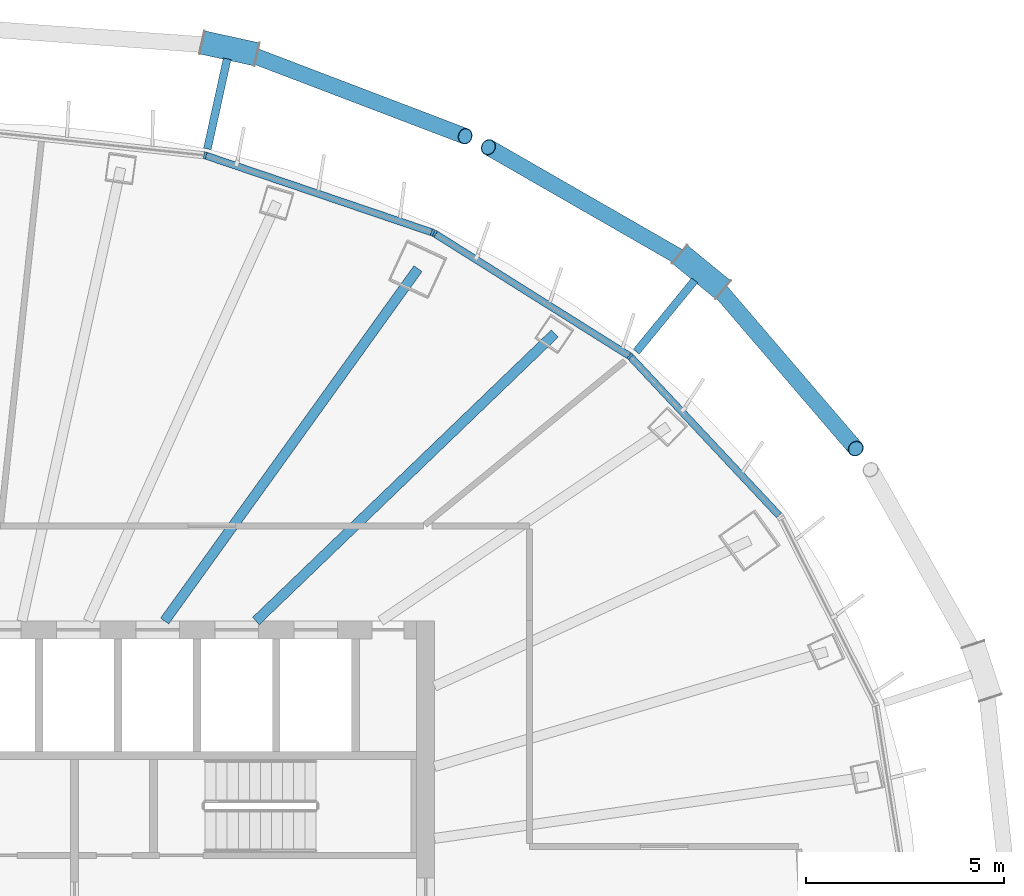
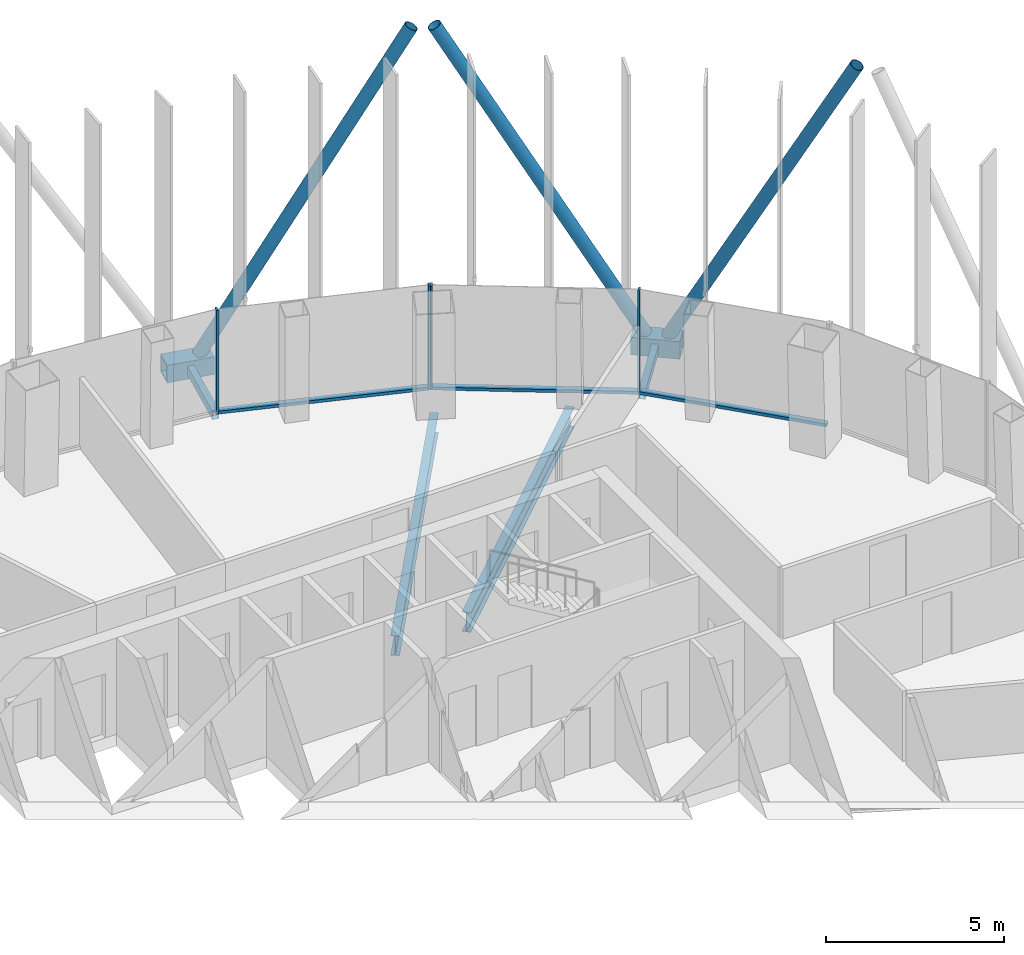
# One storey, part 7 of 18: 14 members, 2 beams, 2 elements without a shape of their own.
"""IFC4 building model written with IfcOpenShell, lengths in metres."""

from ifc_helpers import new_model, si_unit, direction, frame, origin, origin_2d, place, context, subcontext, project, spatial, rectangle, hollow_rectangle, hollow_circle, i_section, extrude, material, layer, layer_set, material_profile, profile_set, type_object, element, aggregate, save


model = new_model("IFC4")

# Units and contexts
model_context = context("Model", 3, precision=1e-05, world=origin(), true_north=direction((0.0, 1.0)))
body_context = subcontext(model_context, "Body", "Model", "MODEL_VIEW")
ifc_project = project(units=[si_unit("LENGTHUNIT", "METRE"), si_unit("AREAUNIT", "SQUARE_METRE"), si_unit("VOLUMEUNIT", "CUBIC_METRE"), si_unit("PLANEANGLEUNIT", "RADIAN"), si_unit("MASSUNIT", "GRAM", prefix="KILO")], contexts=[model_context])

# Site, building, storey
site_placement = place(None, origin())
site = spatial("IfcSite", under=ifc_project, at=site_placement, CompositionType="ELEMENT")
building_placement = place(site_placement, origin())
building = spatial("IfcBuilding", under=site, at=building_placement, Name="Siaravel Broadcast Tower", CompositionType="ELEMENT")
storey_placement = place(building_placement, frame((0.0, 0.0, 157.10009765625)))
storey = spatial("IfcBuildingStorey", under=building, at=storey_placement, Name="L37", CompositionType="ELEMENT", Elevation=157.10009765625)

# Beams
ifc_material_1 = material(Name="Steel S355", Category="steel")
ifc_material_profile_1 = material_profile(ifc_material_1, i_section(OverallWidth=0.2529296875, OverallDepth=0.677978515625, WebThickness=0.01171875, FlangeThickness=0.01611328125, FilletRadius=0.01513671875, at=origin_2d()))
ifc_profile_set_1 = profile_set([ifc_material_profile_1], Name="Steel S355")
beam_type = type_object("IfcBeamType", Name="BM-UB 686x254x125", PredefinedType="BEAM", material=ifc_profile_set_1)
beam_1_placement = place(storey_placement, frame((15.041259765625, 14.466064453125, -0.489013671875), z_axis=(-0.720749365, -0.693195754, 0.0), x_axis=(0.693195754, -0.720749365, 0.0)))
element("IfcBeam", 1, at=beam_1_placement, inside=storey, type_object=beam_type, Name="Radial beam RB06", PredefinedType="BEAM", context=body_context, shape_type="SweptSolid", body=[
    extrude(i_section(OverallWidth=0.2529296875, OverallDepth=0.677978515625, WebThickness=0.01171875, FlangeThickness=0.01611328125, FilletRadius=0.01513671875, at=origin_2d()), origin(), (0.0, 0.0, 1.0), 10.48193359375),
])
beam_2_placement = place(storey_placement, frame((11.582275390625, 16.10498046875, -0.489013671875), z_axis=(-0.58386488, -0.81185085, 0.0), x_axis=(0.81185085, -0.58386488, 0.0)))
element("IfcBeam", 2, at=beam_2_placement, inside=storey, type_object=beam_type, Name="Radial beam RB07", PredefinedType="BEAM", context=body_context, shape_type="SweptSolid", body=[
    extrude(i_section(OverallWidth=0.2529296875, OverallDepth=0.677978515625, WebThickness=0.01171875, FlangeThickness=0.01611328125, FilletRadius=0.01513671875, at=origin_2d()), origin(), (0.0, 0.0, 1.0), 10.96875),
])

# Curtain wall, members
ifc_material_2 = material(Name="Aluminium 6063-T6", Category="aluminium")
ifc_layer = layer(ifc_material_2, 0.179931640625)
ifc_layer_set = layer_set([ifc_layer], Name="Aluminium 6063-T6")
curtain_wall_type = type_object("IfcCurtainWallType", Name="Unitised curtain wall, zone 3", PredefinedType="NOTDEFINED", material=ifc_layer_set)
curtain_wall_1_placement = place(storey_placement, origin())
curtain_wall_1 = element("IfcCurtainWall", 3, at=curtain_wall_1_placement, inside=storey, type_object=curtain_wall_type, Name="L37 Unitised curtain wall, zone 3 02", PredefinedType="NOTDEFINED")
ifc_material_profile_2 = material_profile(ifc_material_2, rectangle(XDim=0.179931640625, YDim=0.06005859375, at=origin_2d()))
ifc_profile_set_2 = profile_set([ifc_material_profile_2], Name="Aluminium 6063-T6")
member_type_1 = type_object("IfcMemberType", Name="CW-Z3 mullion", PredefinedType="MULLION", material=ifc_profile_set_2)
member_1_placement = place(storey_placement, frame((16.940673828125, 13.888916015625, 0.0), z_axis=(0.0, 0.0, 1.0), x_axis=(-0.63621963, -0.771507993, 0.0)))
member_1 = element("IfcMember", 4, at=member_1_placement, type_object=member_type_1, Name="CW-Z3 mullion 2", PredefinedType="MULLION", context=body_context, shape_type="SweptSolid", body=[
    extrude(rectangle(XDim=0.179931640625, YDim=0.06005859375, at=origin_2d()), origin(), (0.0, 0.0, 1.0), 3.5498046875),
])
member_2_placement = place(storey_placement, frame((12.003173828125, 16.9921875, 0.0), z_axis=(0.0, 0.0, 1.0), x_axis=(-0.532150259, -0.846649928, 0.0)))
member_2 = element("IfcMember", 5, at=member_2_placement, type_object=member_type_1, Name="CW-Z3 mullion 3", PredefinedType="MULLION", context=body_context, shape_type="SweptSolid", body=[
    extrude(rectangle(XDim=0.179931640625, YDim=0.06005859375, at=origin_2d()), origin(), (0.0, 0.0, 1.0), 3.5498046875),
])

curtain_wall_2_placement = place(storey_placement, origin())
curtain_wall_2 = element("IfcCurtainWall", 6, at=curtain_wall_2_placement, inside=storey, type_object=curtain_wall_type, Name="L37 Unitised curtain wall, zone 3 03", PredefinedType="NOTDEFINED")
member_3_placement = place(storey_placement, frame((11.949462890625, 17.017822265625, 0.0), z_axis=(0.0, 0.0, 1.0), x_axis=(-0.321301405, -0.946976983, 0.0)))
member_3 = element("IfcMember", 7, at=member_3_placement, type_object=member_type_1, Name="CW-Z3 mullion 1", PredefinedType="MULLION", context=body_context, shape_type="SweptSolid", body=[
    extrude(rectangle(XDim=0.179931640625, YDim=0.06005859375, at=origin_2d()), origin(), (0.0, 0.0, 1.0), 3.5498046875),
])
member_4_placement = place(storey_placement, frame((6.19970703125, 18.96875, 0.0), z_axis=(0.0, 0.0, 1.0), x_axis=(-0.215558612, -0.976490903, 0.0)))
member_4 = element("IfcMember", 8, at=member_4_placement, type_object=member_type_1, Name="CW-Z3 mullion 2", PredefinedType="MULLION", context=body_context, shape_type="SweptSolid", body=[
    extrude(rectangle(XDim=0.179931640625, YDim=0.06005859375, at=origin_2d()), origin(), (0.0, 0.0, 1.0), 3.5498046875),
])

# Member
ifc_material_profile_3 = material_profile(ifc_material_2, rectangle(XDim=0.179931640625, YDim=0.10009765625, at=origin_2d()))
ifc_profile_set_3 = profile_set([ifc_material_profile_3], Name="Aluminium 6063-T6")
member_type_2 = type_object("IfcMemberType", Name="CW-Z3 transom", PredefinedType="USERDEFINED", material=ifc_profile_set_3)
member_5_placement = place(storey_placement, frame((20.708984375, 9.8662109375, 0.0498046875), z_axis=(-0.68363887, 0.729820454, 0.0), x_axis=(-0.729820454, -0.68363887, 0.0)))
member_5 = element("IfcMember", 9, at=member_5_placement, type_object=member_type_2, Name="CW-Z3 transom 1", ObjectType="TRANSOM", PredefinedType="USERDEFINED", context=body_context, shape_type="SweptSolid", body=[
    extrude(rectangle(XDim=0.179931640625, YDim=0.10009765625, at=origin_2d()), origin(), (0.0, 0.0, 1.0), 5.482177734375),
])

member_6_placement = place(storey_placement, frame((16.915283203125, 13.905029296875, 0.0498046875), z_axis=(-0.846664863, 0.532126498, 0.0), x_axis=(-0.532126498, -0.846664863, 0.0)))
member_6 = element("IfcMember", 10, at=member_6_placement, type_object=member_type_2, Name="CW-Z3 transom 2", ObjectType="TRANSOM", PredefinedType="USERDEFINED", context=body_context, shape_type="SweptSolid", body=[
    extrude(rectangle(XDim=0.179931640625, YDim=0.10009765625, at=origin_2d()), origin(), (0.0, 0.0, 1.0), 5.771728515625),
])

aggregate(curtain_wall_1, [member_1, member_2, member_5, member_6])

member_7_placement = place(storey_placement, frame((11.9208984375, 17.027587890625, 0.0498046875), z_axis=(-0.946980245, 0.321291792, 0.0), x_axis=(-0.321291792, -0.946980245, 0.0)))
member_7 = element("IfcMember", 11, at=member_7_placement, type_object=member_type_2, Name="CW-Z3 transom 1", ObjectType="TRANSOM", PredefinedType="USERDEFINED", context=body_context, shape_type="SweptSolid", body=[
    extrude(rectangle(XDim=0.179931640625, YDim=0.10009765625, at=origin_2d()), origin(), (0.0, 0.0, 1.0), 6.01123046875),
])

aggregate(curtain_wall_2, [member_3, member_4, member_7])

# Members
ifc_material_3 = material(Name="Steel S460", Category="steel")
ifc_material_profile_4 = material_profile(ifc_material_3, hollow_circle(Radius=0.203125, WallThickness=0.01611328125, at=origin_2d()))
ifc_profile_set_4 = profile_set([ifc_material_profile_4], Name="Steel S460")
member_type_3 = type_object("IfcMemberType", Name="Diagrid diagonal CHS 406.4x16", PredefinedType="BRACE", material=ifc_profile_set_4)
member_8_placement = place(storey_placement, frame((18.997802734375, 15.81298828125, 0.06982421875), z_axis=(0.305263553, -0.356045523, 0.883201987), x_axis=(0.759170544, 0.650891761, 0.0)))
element("IfcMember", 12, at=member_8_placement, inside=storey, type_object=member_type_3, Name="Diagrid diagonal R16 station 09C", PredefinedType="BRACE", context=body_context, shape_type="SweptSolid", body=[
    extrude(hollow_circle(Radius=0.203125, WallThickness=0.01611328125, at=origin_2d()), origin(), (0.0, 0.0, 1.0), 11.95654296875),
])
member_9_placement = place(storey_placement, frame((18.4970703125, 16.222900390625, 0.06982421875), z_axis=(-0.424221935, 0.2438268, 0.87211481), x_axis=(-0.498316276, -0.866995323, 0.0)))
element("IfcMember", 13, at=member_9_placement, inside=storey, type_object=member_type_3, Name="Diagrid diagonal R16 station 09A", PredefinedType="BRACE", context=body_context, shape_type="SweptSolid", body=[
    extrude(hollow_circle(Radius=0.203125, WallThickness=0.01611328125, at=origin_2d()), origin(), (0.0, 0.0, 1.0), 12.108642578125),
])
member_10_placement = place(storey_placement, frame((7.13232421875, 21.603515625, 0.06982421875), z_axis=(0.463875275, -0.176868253, 0.868065291), x_axis=(0.35626596, 0.934384592, 0.0)))
element("IfcMember", 14, at=member_10_placement, inside=storey, type_object=member_type_3, Name="Diagrid diagonal R16 station 15C", PredefinedType="BRACE", context=body_context, shape_type="SweptSolid", body=[
    extrude(hollow_circle(Radius=0.203125, WallThickness=0.01611328125, at=origin_2d()), origin(), (0.0, 0.0, 1.0), 12.1650390625),
])
ifc_material_profile_5 = material_profile(ifc_material_3, hollow_rectangle(XDim=0.60009765625, YDim=0.60009765625, WallThickness=0.0400390625, at=origin_2d()))
ifc_profile_set_5 = profile_set([ifc_material_profile_5], Name="Steel S460")
member_type_4 = type_object("IfcMemberType", Name="Diagrid node BOX 600x600x40", PredefinedType="USERDEFINED", material=ifc_profile_set_5)
for number, where, z_axis, x_axis, name in (
    (15, (19.288818359375, 15.574462890625, -0.2001953125), (-0.773584133, 0.633693609, 0.0), (-0.633693609, -0.773584133, 0.0), "Diagrid node R16 station 09"),
    (16, (7.5, 21.52294921875, -0.2001953125), (-0.976754142, 0.21436265, 0.0), (-0.21436265, -0.976754142, 0.0), "Diagrid node R16 station 15"),
):
    element("IfcMember", number, at=place(storey_placement, frame(where, z_axis=z_axis, x_axis=x_axis)), inside=storey, type_object=member_type_4, Name=name, ObjectType="DIAGRID NODE", PredefinedType="USERDEFINED", context=body_context, shape_type="SweptSolid", body=[
        extrude(hollow_rectangle(XDim=0.60009765625, YDim=0.60009765625, WallThickness=0.0400390625, at=origin_2d()), origin(), (0.0, 0.0, 1.0), 1.399658203125),
    ])
ifc_material_profile_6 = material_profile(ifc_material_3, hollow_rectangle(XDim=0.199951171875, YDim=0.300048828125, WallThickness=0.012451171875, at=origin_2d()))
ifc_profile_set_6 = profile_set([ifc_material_profile_6], Name="Steel S460")
member_type_5 = type_object("IfcMemberType", Name="Diagrid node arm RHS 300x200x12.5", PredefinedType="STRUT", material=ifc_profile_set_6)
for number, where, z_axis, x_axis, name in (
    (17, (17.099853515625, 14.006591796875, -0.2001953125), (0.633699844, 0.773579025, 0.0), (-0.773579025, 0.633699844, 0.0), "Node arm R16 station 09"),
    (18, (6.259033203125, 19.13330078125, -0.2001953125), (0.214378037, 0.976750765, 0.0), (-0.976750765, 0.214378037, 0.0), "Node arm R16 station 15"),
):
    element("IfcMember", number, at=place(storey_placement, frame(where, z_axis=z_axis, x_axis=x_axis)), inside=storey, type_object=member_type_5, Name=name, PredefinedType="STRUT", context=body_context, shape_type="SweptSolid", body=[
        extrude(hollow_rectangle(XDim=0.199951171875, YDim=0.300048828125, WallThickness=0.012451171875, at=origin_2d()), origin(), (0.0, 0.0, 1.0), 2.330078125),
    ])

save(model, "model.ifc")
